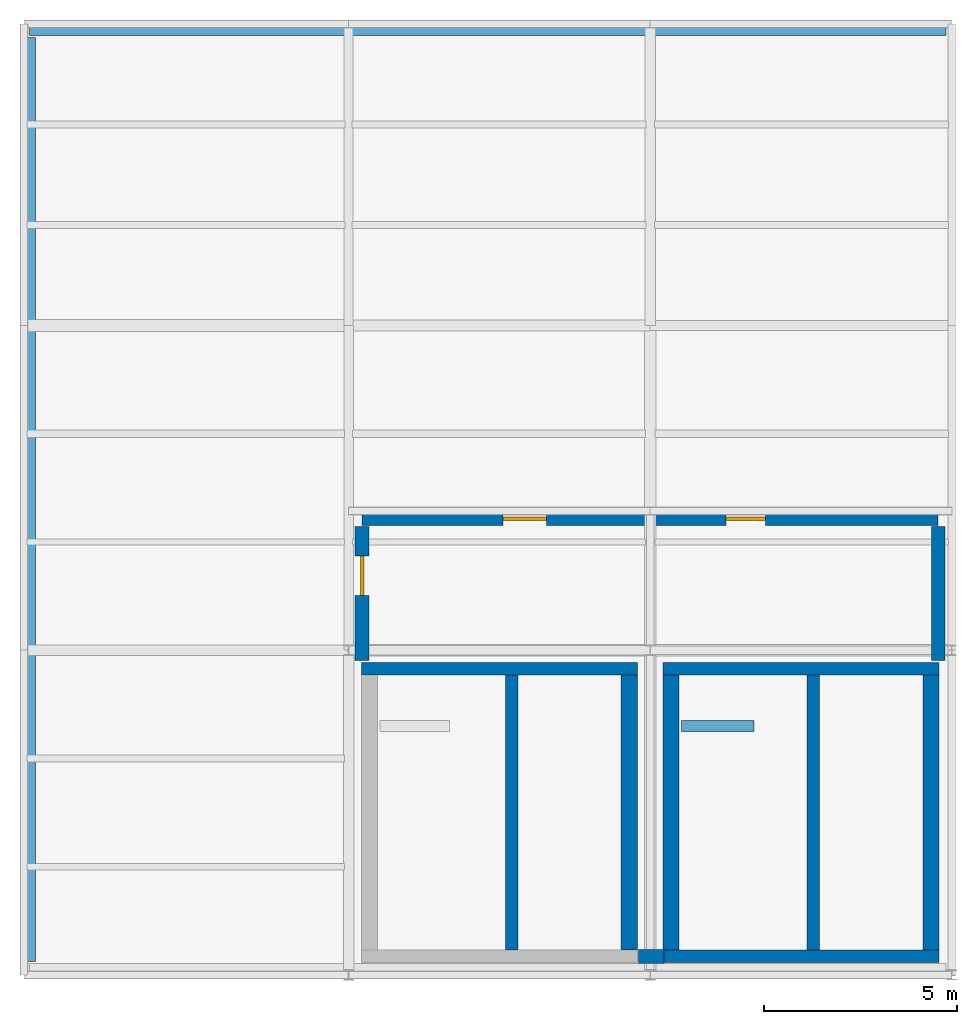
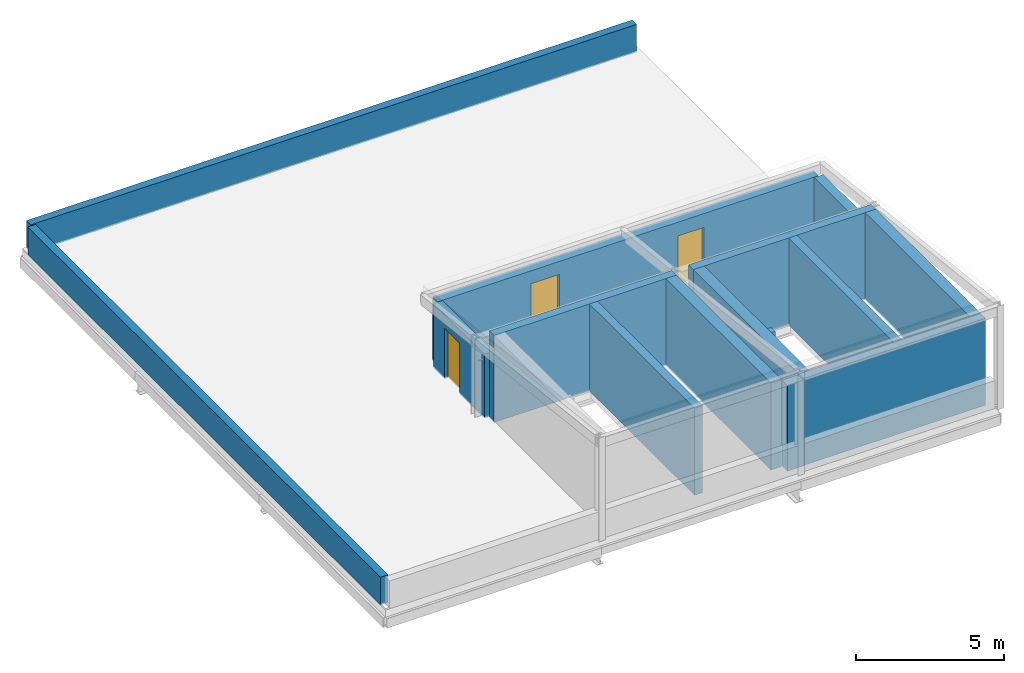
# One storey, part 2 of 3: 15 walls, 3 doors, 3 openings.
"""IFC4 building model written with IfcOpenShell, lengths in metres."""

from ifc_helpers import new_model, si_unit, direction, frame, frame_2d, origin_with_axes, place, context, subcontext, project, spatial, rectangle, extrude, material, layer, layer_set, type_object, element, fill, save


model = new_model("IFC4")

# Units and contexts
model_context = context("Model", 3, precision=1e-05, world=origin_with_axes(), true_north=direction((0.0, 1.0)))
body_context = subcontext(model_context, "Body", "Model", "MODEL_VIEW")
ifc_project = project(units=[si_unit("LENGTHUNIT", "METRE"), si_unit("AREAUNIT", "SQUARE_METRE"), si_unit("VOLUMEUNIT", "CUBIC_METRE"), si_unit("PLANEANGLEUNIT", "RADIAN"), si_unit("MASSUNIT", "GRAM", prefix="KILO"), si_unit("THERMODYNAMICTEMPERATUREUNIT", "KELVIN")], contexts=[model_context])

# Site, building, storey
site_placement = place(None, origin_with_axes())
site = spatial("IfcSite", under=ifc_project, at=site_placement, CompositionType="ELEMENT")
building_placement = place(site_placement, origin_with_axes())
building = spatial("IfcBuilding", under=site, at=building_placement, Name="Montbau Bow Law Courts", CompositionType="ELEMENT")
storey_placement = place(building_placement, frame((0.0, 0.0, 48.0), z_axis=(0.0, 0.0, 1.0), x_axis=(1.0, 0.0, 0.0)))
storey = spatial("IfcBuildingStorey", under=building, at=storey_placement, Name="Roof", CompositionType="ELEMENT", Elevation=48.0)

# Walls
ifc_material_1 = material(Name="Concrete CSA A23.1 f'c 45 MPa", Category="concrete")
ifc_layer_1 = layer(ifc_material_1, 0.42, Name="Shear Wall", Category="concrete")
ifc_layer_set_1 = layer_set([ifc_layer_1], Name="Concrete CSA A23.1 f'c 45 MPa")
wall_type_1 = type_object("IfcWallType", Name="W-COR-03", PredefinedType="SHEAR", material=ifc_layer_set_1)
for number, where, z_axis, x_axis, name in (
    (1, (154.26, 87.04, 48.0), (0.0, 0.0, 1.0), (0.0, 1.0, 0.0), "WC-Roof-0374:wal_0441"),
    (2, (162.06, 87.04, 48.0), (0.0, 0.0, 1.0), (0.0, 1.0, 0.0), "WC-Roof-0477:wal_0544"),
    (3, (155.34, 94.16, 48.0), (0.0, 0.0, 1.0), (0.0, -1.0, 0.0), "WC-Roof-0478:wal_0545"),
):
    element("IfcWall", number, at=place(None, frame(where, z_axis=z_axis, x_axis=x_axis)), inside=storey, type_object=wall_type_1, Name=name, PredefinedType="SHEAR", context=body_context, shape_type="SweptSolid", body=[
        extrude(rectangle(XDim=7.11999999999999, YDim=0.42, at=frame_2d((3.56, 0.0), x_axis=(1.0, 0.0))), origin_with_axes(), (0.0, 0.0, 1.0), 3.6),
    ])
ifc_layer_2 = layer(ifc_material_1, 0.32, Name="Shear Wall", Category="concrete")
ifc_layer_set_2 = layer_set([ifc_layer_2], Name="Concrete CSA A23.1 f'c 45 MPa")
wall_type_2 = type_object("IfcWallType", Name="W-COR-05", PredefinedType="SHEAR", material=ifc_layer_set_2)
wall_1_placement = place(None, frame((154.47, 94.32, 48.0), z_axis=(0.0, 0.0, 1.0), x_axis=(-1.0, 0.0, 0.0)))
element("IfcWall", 4, at=wall_1_placement, inside=storey, type_object=wall_type_2, Name="WC-Roof-0373:wal_0440", PredefinedType="SHEAR", context=body_context, shape_type="SweptSolid", body=[
    extrude(rectangle(XDim=7.139999999999986, YDim=0.32, at=frame_2d((3.57, 0.0), x_axis=(1.0, 0.0))), origin_with_axes(), (0.0, 0.0, 1.0), 3.6),
])
wall_2_placement = place(None, frame((151.22, 87.04, 48.0), z_axis=(0.0, 0.0, 1.0), x_axis=(0.0, 1.0, 0.0)))
element("IfcWall", 5, at=wall_2_placement, inside=storey, type_object=wall_type_2, Name="WS-Roof-0376:wal_0443", PredefinedType="SHEAR", context=body_context, shape_type="SweptSolid", body=[
    extrude(rectangle(XDim=7.11999999999999, YDim=0.32, at=frame_2d((3.56, 0.0), x_axis=(1.0, 0.0))), origin_with_axes(), (0.0, 0.0, 1.0), 3.6),
])
for number, where, z_axis, x_axis, name in (
    (6, (155.13, 86.88, 48.0), (0.0, 0.0, 1.0), (1.0, 0.0, 0.0), "WC-Roof-0475:wal_0542"),
    (7, (162.27, 94.32, 48.0), (0.0, 0.0, 1.0), (-1.0, 0.0, 0.0), "WC-Roof-0476:wal_0543"),
):
    element("IfcWall", number, at=place(None, frame(where, z_axis=z_axis, x_axis=x_axis)), inside=storey, type_object=wall_type_2, Name=name, PredefinedType="SHEAR", context=body_context, shape_type="SweptSolid", body=[
        extrude(rectangle(XDim=7.140000000000015, YDim=0.32, at=frame_2d((3.57, 0.0), x_axis=(1.0, 0.0))), origin_with_axes(), (0.0, 0.0, 1.0), 3.6),
    ])
wall_3_placement = place(None, frame((159.02, 87.04, 48.0), z_axis=(0.0, 0.0, 1.0), x_axis=(0.0, 1.0, 0.0)))
element("IfcWall", 8, at=wall_3_placement, inside=storey, type_object=wall_type_2, Name="WS-Roof-0479:wal_0546", PredefinedType="SHEAR", context=body_context, shape_type="SweptSolid", body=[
    extrude(rectangle(XDim=7.11999999999999, YDim=0.32, at=frame_2d((3.56, 0.0), x_axis=(1.0, 0.0))), origin_with_axes(), (0.0, 0.0, 1.0), 3.6),
])
ifc_material_2 = material(Name="Insulated Metal Cladding Roof Bulkhead Wall", Category="steel")
ifc_layer_3 = layer(ifc_material_2, 0.36, Name="Solid Wall", Category="steel")
ifc_layer_set_3 = layer_set([ifc_layer_3], Name="Insulated Metal Cladding Roof Bulkhead Wall")
wall_type_3 = type_object("IfcWallType", Name="W-EXT-05", PredefinedType="SOLIDWALL", material=ifc_layer_set_3)
wall_4_placement = place(None, frame((162.25, 94.54, 48.0), z_axis=(0.0, 0.0, 1.0), x_axis=(0.0, 1.0, 0.0)))
element("IfcWall", 9, at=wall_4_placement, inside=storey, type_object=wall_type_3, Name="WB-RF-E:wal_0063", PredefinedType="SOLIDWALL", context=body_context, shape_type="SweptSolid", body=[
    extrude(rectangle(XDim=3.4599999999999937, YDim=0.36, at=frame_2d((1.73, 0.0), x_axis=(1.0, 0.0))), origin_with_axes(), (0.0, 0.0, 1.0), 2.65),
])

# Wall, openings, doors
wall_5_placement = place(None, frame((162.25, 98.2, 48.0), z_axis=(0.0, 0.0, 1.0), x_axis=(-1.0, 0.0, 0.0)))
wall_5 = element("IfcWall", 10, at=wall_5_placement, inside=storey, type_object=wall_type_3, Name="WB-RF-N:wal_0064", PredefinedType="SOLIDWALL", context=body_context, shape_type="SweptSolid", body=[
    extrude(rectangle(XDim=14.900000000000006, YDim=0.36, at=frame_2d((7.45, 0.0), x_axis=(1.0, 0.0))), origin_with_axes(), (0.0, 0.0, 1.0), 2.65),
])
opening_1_placement = place(None, frame((157.27, 98.2, 48.0), z_axis=(0.0, 0.0, 1.0), x_axis=(-1.0, 0.0, 0.0)))
opening_1 = element("IfcOpeningElement", 11, at=opening_1_placement, cuts=wall_5, Name="OP-DH-RF-01", PredefinedType="OPENING", context=body_context, shape_type="SweptSolid", body=[
    extrude(rectangle(XDim=1.02, YDim=2.08, at=frame_2d((0.0, 1.04), x_axis=(1.0, 0.0))), frame((0.0, 0.19, 0.0), z_axis=(0.0, -1.0, 0.0), x_axis=(1.0, 0.0, 0.0)), (0.0, 0.0, 1.0), 0.38),
])
opening_2_placement = place(None, frame((151.558, 98.2, 48.0), z_axis=(0.0, 0.0, 1.0), x_axis=(-1.0, 0.0, 0.0)))
opening_2 = element("IfcOpeningElement", 12, at=opening_2_placement, cuts=wall_5, Name="OP-DH-RF-02", PredefinedType="OPENING", context=body_context, shape_type="SweptSolid", body=[
    extrude(rectangle(XDim=1.12, YDim=2.12, at=frame_2d((0.0, 1.06), x_axis=(1.0, 0.0))), frame((0.0, 0.19, 0.0), z_axis=(0.0, -1.0, 0.0), x_axis=(1.0, 0.0, 0.0)), (0.0, 0.0, 1.0), 0.38),
])
ifc_material_3 = material(Name="Insulated Weather-Stripped Steel Roof Bulkhead Access Door", Category="steel")
door_type_1 = type_object("IfcDoorType", Name="D-HTC-01", OperationType="NOTDEFINED", ParameterTakesPrecedence=False, PredefinedType="TRAPDOOR", material=ifc_material_3)
door_1_placement = place(None, frame((157.27, 98.2, 48.0), z_axis=(0.0, 0.0, 1.0), x_axis=(-1.0, 0.0, 0.0)))
door_1 = element("IfcDoor", 13, at=door_1_placement, inside=storey, type_object=door_type_1, Name="DH-RF-01:dor_0032", OperationType="SINGLE_SWING_LEFT", OverallHeight=2.08, OverallWidth=1.02, PredefinedType="TRAPDOOR", context=body_context, shape_type="SweptSolid", body=[
    extrude(rectangle(XDim=1.02, YDim=2.08, at=frame_2d((0.0, 1.04), x_axis=(1.0, 0.0))), frame((0.0, 0.04, 0.0), z_axis=(0.0, -1.0, 0.0), x_axis=(1.0, 0.0, 0.0)), (0.0, 0.0, 1.0), 0.08),
])
fill(opening_1, door_1)
ifc_material_4 = material(Name="Insulated Plant-Deck Access Door", Category="steel")
door_type_2 = type_object("IfcDoorType", Name="D-HTC-02", OperationType="NOTDEFINED", ParameterTakesPrecedence=False, PredefinedType="TRAPDOOR", material=ifc_material_4)
door_2_placement = place(None, frame((151.558, 98.2, 48.0), z_axis=(0.0, 0.0, 1.0), x_axis=(-1.0, 0.0, 0.0)))
door_2 = element("IfcDoor", 14, at=door_2_placement, inside=storey, type_object=door_type_2, Name="DH-RF-02:dor_0033", OperationType="SINGLE_SWING_LEFT", OverallHeight=2.12, OverallWidth=1.12, PredefinedType="TRAPDOOR", context=body_context, shape_type="SweptSolid", body=[
    extrude(rectangle(XDim=1.12, YDim=2.12, at=frame_2d((0.0, 1.06), x_axis=(1.0, 0.0))), frame((0.0, 0.04, 0.0), z_axis=(0.0, -1.0, 0.0), x_axis=(1.0, 0.0, 0.0)), (0.0, 0.0, 1.0), 0.08),
])
fill(opening_2, door_2)

# Wall, opening, door
wall_6_placement = place(None, frame((147.35, 98.0, 48.0), z_axis=(0.0, 0.0, 1.0), x_axis=(0.0, -1.0, 0.0)))
wall_6 = element("IfcWall", 15, at=wall_6_placement, inside=storey, type_object=wall_type_3, Name="WB-RF-W:wal_0065", PredefinedType="SOLIDWALL", context=body_context, shape_type="SweptSolid", body=[
    extrude(rectangle(XDim=3.4599999999999937, YDim=0.36, at=frame_2d((1.73, 0.0), x_axis=(1.0, 0.0))), origin_with_axes(), (0.0, 0.0, 1.0), 2.65),
])
opening_3_placement = place(None, frame((147.35, 96.729, 48.0), z_axis=(0.0, 0.0, 1.0), x_axis=(0.0, -1.0, 0.0)))
opening_3 = element("IfcOpeningElement", 16, at=opening_3_placement, cuts=wall_6, Name="OP-DH-RF-03", PredefinedType="OPENING", context=body_context, shape_type="SweptSolid", body=[
    extrude(rectangle(XDim=1.02, YDim=2.08, at=frame_2d((0.0, 1.04), x_axis=(1.0, 0.0))), frame((0.0, 0.19, 0.0), z_axis=(0.0, -1.0, 0.0), x_axis=(1.0, 0.0, 0.0)), (0.0, 0.0, 1.0), 0.38),
])
door_3_placement = place(None, frame((147.35, 96.729, 48.0), z_axis=(0.0, 0.0, 1.0), x_axis=(0.0, -1.0, 0.0)))
door_3 = element("IfcDoor", 17, at=door_3_placement, inside=storey, type_object=door_type_1, Name="DH-RF-03:dor_0034", OperationType="SINGLE_SWING_LEFT", OverallHeight=2.08, OverallWidth=1.02, PredefinedType="TRAPDOOR", context=body_context, shape_type="SweptSolid", body=[
    extrude(rectangle(XDim=1.02, YDim=2.08, at=frame_2d((0.0, 1.04), x_axis=(1.0, 0.0))), frame((0.0, 0.04, 0.0), z_axis=(0.0, -1.0, 0.0), x_axis=(1.0, 0.0, 0.0)), (0.0, 0.0, 1.0), 0.08),
])
fill(opening_3, door_3)

# Walls
wall_7_placement = place(None, frame((154.5, 86.88, 48.0), z_axis=(0.0, 0.0, 1.0), x_axis=(1.0, 0.0, 0.0)))
element("IfcWall", 18, at=wall_7_placement, inside=storey, type_object=wall_type_3, Name="WB-RF-S:wal_0066", PredefinedType="SOLIDWALL", context=body_context, shape_type="SweptSolid", body=[
    extrude(rectangle(XDim=0.6500000000000057, YDim=0.36, at=frame_2d((0.325, 0.0), x_axis=(1.0, 0.0))), origin_with_axes(), (0.0, 0.0, 1.0), 3.55),
])
ifc_material_5 = material(Name="Insulated Limestone-Capped Roof Parapet Assembly", Category="masonry")
ifc_layer_4 = layer(ifc_material_5, 0.3, Name="Parapet", Category="masonry")
ifc_layer_set_4 = layer_set([ifc_layer_4], Name="Insulated Limestone-Capped Roof Parapet Assembly")
wall_type_4 = type_object("IfcWallType", Name="W-PAR-01", PredefinedType="PARAPET", material=ifc_layer_set_4)
wall_8_placement = place(None, frame((162.45, 110.85, 48.0), z_axis=(0.0, 0.0, 1.0), x_axis=(-1.0, 0.0, 0.0)))
element("IfcWall", 19, at=wall_8_placement, inside=storey, type_object=wall_type_4, Name="PAR-Roof-06:par_0015", PredefinedType="PARAPET", context=body_context, shape_type="SweptSolid", body=[
    extrude(rectangle(XDim=23.69999999999999, YDim=0.3, at=frame_2d((11.85, 0.0), x_axis=(1.0, 0.0))), origin_with_axes(), (0.0, 0.0, 1.0), 1.15),
])
wall_9_placement = place(None, frame((138.75, 110.65, 48.0), z_axis=(0.0, 0.0, 1.0), x_axis=(0.0, -1.0, 0.0)))
element("IfcWall", 20, at=wall_9_placement, inside=storey, type_object=wall_type_4, Name="PAR-Roof-07:par_0016", PredefinedType="PARAPET", context=body_context, shape_type="SweptSolid", body=[
    extrude(rectangle(XDim=23.89999999999999, YDim=0.3, at=frame_2d((11.95, 0.0), x_axis=(1.0, 0.0))), origin_with_axes(), (0.0, 0.0, 1.0), 1.15),
])
ifc_material_6 = material(Name="Insulated Terracotta-Coping Terrace Parapet Assembly", Category="masonry")
ifc_layer_5 = layer(ifc_material_6, 0.28, Name="Parapet", Category="masonry")
ifc_layer_set_5 = layer_set([ifc_layer_5], Name="Insulated Terracotta-Coping Terrace Parapet Assembly")
wall_type_5 = type_object("IfcWallType", Name="W-PAR-02", PredefinedType="PARAPET", material=ifc_layer_set_5)
wall_10_placement = place(None, frame((155.605, 92.84, 48.0), z_axis=(0.0, 0.0, 1.0), x_axis=(1.0, 0.0, 0.0)))
element("IfcWall", 21, at=wall_10_placement, inside=storey, type_object=wall_type_5, Name="PAR-ST-J2-L09-TOP:par_0022", PredefinedType="PARAPET", context=body_context, shape_type="SweptSolid", body=[
    extrude(rectangle(XDim=1.8850000000000193, YDim=0.28, at=frame_2d((0.9425, 0.0), x_axis=(1.0, 0.0))), origin_with_axes(), (0.0, 0.0, 1.0), 1.1),
])

save(model, "model.ifc")
